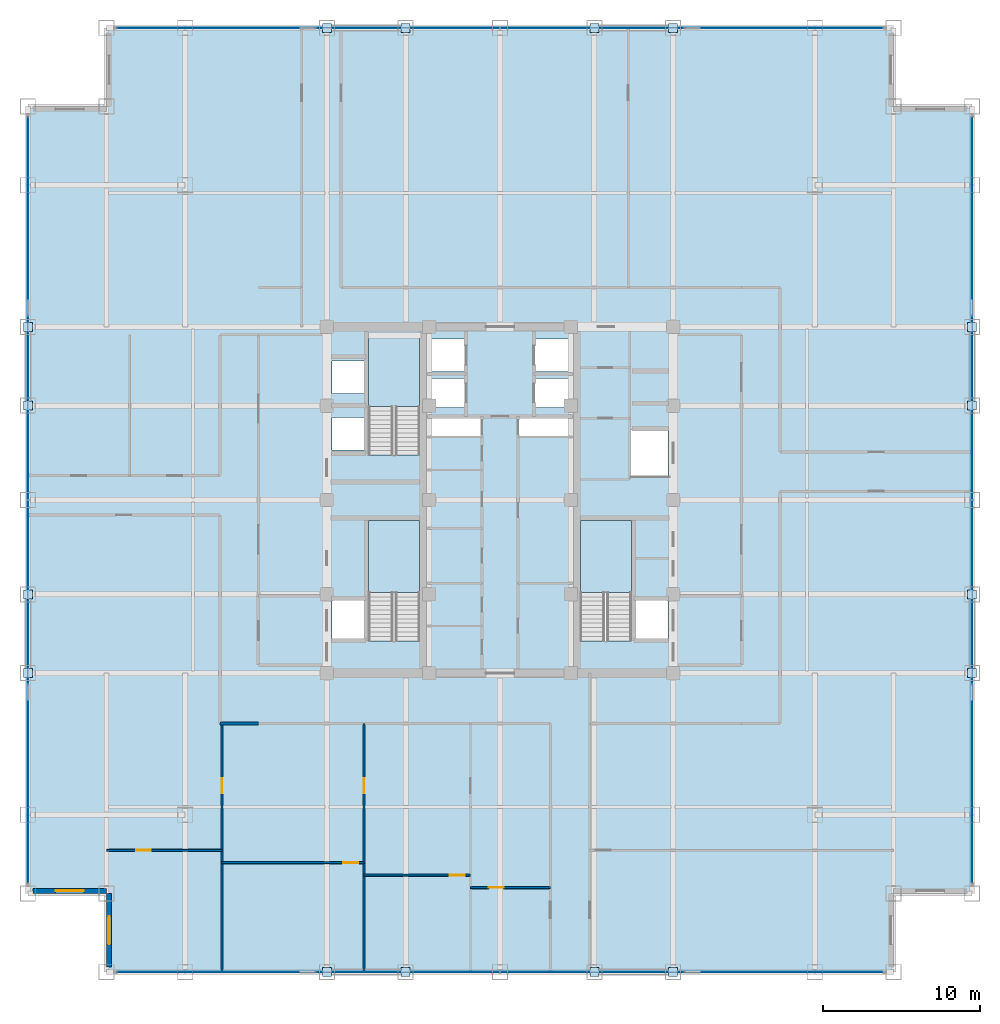
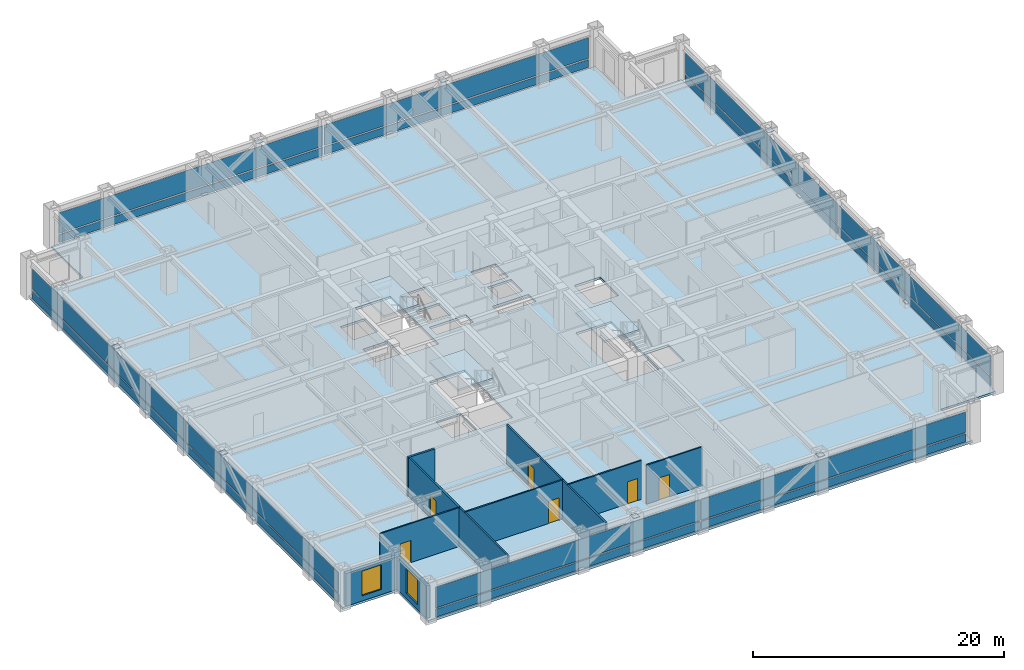
# One storey, part 19 of 24: 32 plates, 9 walls, 6 doors, 4 slabs, 2 windows, 8 openings, 7 elements without a shape of their own.
"""IFC4 building model written with IfcOpenShell, lengths in metres."""

from ifc_helpers import new_model, si_unit, direction, frame, frame_2d, origin, origin_2d, place, context, subcontext, project, spatial, polyline, rectangle, outline, extrude, source, transform, mapped, material, layer, layer_set, type_object, element, fill, aggregate, save


model = new_model("IFC4")

# Units and contexts
model_context = context("Model", 3, precision=1e-05, world=origin(), true_north=direction((0.0, 1.0)))
body_context = subcontext(model_context, "Body", "Model", "MODEL_VIEW")
ifc_project = project(units=[si_unit("LENGTHUNIT", "METRE"), si_unit("AREAUNIT", "SQUARE_METRE"), si_unit("VOLUMEUNIT", "CUBIC_METRE"), si_unit("PLANEANGLEUNIT", "RADIAN"), si_unit("MASSUNIT", "GRAM", prefix="KILO")], contexts=[model_context])

# Site, building, storey
site_placement = place(None, origin())
site = spatial("IfcSite", under=ifc_project, at=site_placement, CompositionType="ELEMENT")
building_placement = place(site_placement, origin())
building = spatial("IfcBuilding", under=site, at=building_placement, Name="Khorayat Bourse Tower", CompositionType="ELEMENT")
storey_placement = place(building_placement, frame((0.0, 0.0, 211.10009765625)))
storey = spatial("IfcBuildingStorey", under=building, at=storey_placement, Name="L49", CompositionType="ELEMENT", Elevation=211.10009765625)

# Stair, slab
ifc_material_1 = material(Name="Concrete C40/50", Category="concrete")
stair_type = type_object("IfcStairType", Name="STR-CORE-1550", PredefinedType="HALF_TURN_STAIR", material=ifc_material_1)
stair_1_placement = place(storey_placement, origin())
stair_1 = element("IfcStair", 1, at=stair_1_placement, inside=storey, type_object=stair_type, Name="L49 Exit Stair ST-1", PredefinedType="HALF_TURN_STAIR")
ifc_layer_1 = layer(ifc_material_1, 0.199951171875)
ifc_layer_set_1 = layer_set([ifc_layer_1], Name="Concrete C40/50")
slab_type_1 = type_object("IfcSlabType", Name="SLB-LANDING-200", PredefinedType="LANDING", material=ifc_layer_set_1)
slab_1_placement = place(storey_placement, frame((0.0, 0.0, 1.7998046875)))
slab_1 = element("IfcSlab", 2, at=slab_1_placement, type_object=slab_type_1, Name="ST-1 landing 1", PredefinedType="LANDING", context=body_context, shape_type="SweptSolid", body=[
    extrude(outline(polyline([(-5.10009765625, -5.8701171875), (-5.10009765625, -1.300048828125), (-8.35009765625, -1.300048828125), (-8.35009765625, -5.8701171875), (-5.10009765625, -5.8701171875)])), origin(), (0.0, 0.0, 1.0), 0.2001953125),
])
aggregate(stair_1, [slab_1])

stair_2_placement = place(storey_placement, origin())
stair_2 = element("IfcStair", 3, at=stair_2_placement, inside=storey, type_object=stair_type, Name="L49 Exit Stair ST-2", PredefinedType="HALF_TURN_STAIR")
slab_2_placement = place(storey_placement, frame((0.0, 0.0, 1.7998046875)))
slab_2 = element("IfcSlab", 4, at=slab_2_placement, type_object=slab_type_1, Name="ST-2 landing 1", PredefinedType="LANDING", context=body_context, shape_type="SweptSolid", body=[
    extrude(outline(polyline([(-5.10009765625, 5.929931640625), (-5.10009765625, 10.5), (-8.35009765625, 10.5), (-8.35009765625, 5.929931640625), (-5.10009765625, 5.929931640625)])), origin(), (0.0, 0.0, 1.0), 0.2001953125),
])
aggregate(stair_2, [slab_2])

stair_3_placement = place(storey_placement, origin())
stair_3 = element("IfcStair", 5, at=stair_3_placement, inside=storey, type_object=stair_type, Name="L49 Exit Stair ST-3", PredefinedType="HALF_TURN_STAIR")
slab_3_placement = place(storey_placement, frame((0.0, 0.0, 1.7998046875)))
slab_3 = element("IfcSlab", 6, at=slab_3_placement, type_object=slab_type_1, Name="ST-3 landing 1", PredefinedType="LANDING", context=body_context, shape_type="SweptSolid", body=[
    extrude(outline(polyline([(8.35009765625, -5.8701171875), (8.35009765625, -1.300048828125), (5.10009765625, -1.300048828125), (5.10009765625, -5.8701171875), (8.35009765625, -5.8701171875)])), origin(), (0.0, 0.0, 1.0), 0.2001953125),
])
aggregate(stair_3, [slab_3])

# Slab
ifc_layer_2 = layer(ifc_material_1, 0.219970703125)
ifc_layer_set_2 = layer_set([ifc_layer_2], Name="Concrete C40/50")
slab_type_2 = type_object("IfcSlabType", Name="SLB-OFFICE-220", PredefinedType="FLOOR", material=ifc_layer_set_2)
slab_4_placement = place(storey_placement, frame((0.0, 0.0, -0.22021484375)))
element("IfcSlab", 7, at=slab_4_placement, inside=storey, type_object=slab_type_2, Name="L49 Main Floor Slab", PredefinedType="FLOOR", context=body_context, shape_type="SweptSolid", body=[
    extrude(outline(polyline([(-25.0, -30.0), (25.0, -30.0), (25.0, -25.0), (30.0, -25.0), (30.0, 25.0), (25.0, 25.0), (25.0, 30.0), (-25.0, 30.0), (-25.0, 25.0), (-30.0, 25.0), (-30.0, -25.0), (-25.0, -25.0), (-25.0, -30.0)]), holes=[polyline([(-8.35009765625, -8.945068359375), (-5.10009765625, -8.945068359375), (-5.10009765625, -1.300048828125), (-8.35009765625, -1.300048828125), (-8.35009765625, -8.945068359375)]), polyline([(-8.35009765625, 2.85498046875), (-5.10009765625, 2.85498046875), (-5.10009765625, 10.5), (-8.35009765625, 10.5), (-8.35009765625, 2.85498046875)]), polyline([(5.10009765625, -8.945068359375), (8.35009765625, -8.945068359375), (8.35009765625, -1.300048828125), (5.10009765625, -1.300048828125), (5.10009765625, -8.945068359375)]), polyline([(-4.3798828125, 8.169921875), (-2.1201171875, 8.169921875), (-2.1201171875, 10.22998046875), (-4.3798828125, 10.22998046875), (-4.3798828125, 8.169921875)]), polyline([(2.1201171875, 8.169921875), (4.3798828125, 8.169921875), (4.3798828125, 10.22998046875), (2.1201171875, 10.22998046875), (2.1201171875, 8.169921875)]), polyline([(-4.3798828125, 5.8701171875), (-2.219970703125, 5.8701171875), (-2.219970703125, 7.72998046875), (-4.3798828125, 7.72998046875), (-4.3798828125, 5.8701171875)]), polyline([(2.219970703125, 5.8701171875), (4.3798828125, 5.8701171875), (4.3798828125, 7.72998046875), (2.219970703125, 7.72998046875), (2.219970703125, 5.8701171875)]), polyline([(-10.679931640625, 3.169921875), (-8.419921875, 3.169921875), (-8.419921875, 5.22998046875), (-10.679931640625, 5.22998046875), (-10.679931640625, 3.169921875)]), polyline([(-10.679931640625, 6.77001953125), (-8.419921875, 6.77001953125), (-8.419921875, 8.830078125), (-10.679931640625, 8.830078125), (-10.679931640625, 6.77001953125)]), polyline([(-10.679931640625, -8.929931640625), (-8.419921875, -8.929931640625), (-8.419921875, -6.3701171875), (-10.679931640625, -6.3701171875), (-10.679931640625, -8.929931640625)]), polyline([(8.419921875, -8.929931640625), (10.679931640625, -8.929931640625), (10.679931640625, -6.3701171875), (8.419921875, -6.3701171875), (8.419921875, -8.929931640625)]), polyline([(8.320068359375, 1.52001953125), (10.679931640625, 1.52001953125), (10.679931640625, 4.47998046875), (8.320068359375, 4.47998046875), (8.320068359375, 1.52001953125)]), polyline([(-4.56005859375, 4.080078125), (-1.18994140625, 4.080078125), (-1.18994140625, 5.219970703125), (-4.56005859375, 5.219970703125), (-4.56005859375, 4.080078125)]), polyline([(1.18994140625, 4.080078125), (4.56005859375, 4.080078125), (4.56005859375, 5.219970703125), (1.18994140625, 5.219970703125), (1.18994140625, 4.080078125)])]), origin(), (0.0, 0.0, 1.0), 0.22021484375),
])

# Plates
ifc_material_2 = material(Name="Steel EN 10025-2 S355J2", Category="steel")
ifc_layer_3 = layer(ifc_material_2, 0.02490234375)
ifc_layer_set_3 = layer_set([ifc_layer_3], Name="Steel EN 10025-2 S355J2")
plate_type_1 = type_object("IfcPlateType", Name="PLT-ENDCAP-25", PredefinedType="SHEET", material=ifc_layer_set_3)
shared_shape_1 = source(origin(), body_context, "Body", "SweptSolid", [
    extrude(rectangle(XDim=0.56005859375, YDim=0.56005859375, at=origin_2d()), origin(), (0.0, 0.0, 1.0), 0.02490234375),
])
for number, where, z_axis, x_axis, name in (
    (8, (-11.0, -30.0, 0.237548828125), (0.0, 0.0, 1.0), (1.0, 0.0, 0.0), "L49 Perimeter Brace End Plate 001"),
    (9, (-6.0, -30.0, 3.517333984375), (0.0, 0.0, 1.0), (1.0, 0.0, 0.0), "L49 Perimeter Brace End Plate 002"),
    (10, (6.0, -30.0, 0.237548828125), (0.0, 0.0, 1.0), (1.0, 0.0, 0.0), "L49 Perimeter Brace End Plate 003"),
    (11, (11.0, -30.0, 3.517333984375), (0.0, 0.0, 1.0), (1.0, 0.0, 0.0), "L49 Perimeter Brace End Plate 004"),
    (12, (-11.0, 30.0, 0.237548828125), (0.0, 0.0, 1.0), (1.0, 0.0, 0.0), "L49 Perimeter Brace End Plate 005"),
    (13, (-6.0, 30.0, 3.517333984375), (0.0, 0.0, 1.0), (1.0, 0.0, 0.0), "L49 Perimeter Brace End Plate 006"),
    (14, (6.0, 30.0, 0.237548828125), (0.0, 0.0, 1.0), (1.0, 0.0, 0.0), "L49 Perimeter Brace End Plate 007"),
    (15, (11.0, 30.0, 3.517333984375), (0.0, 0.0, 1.0), (1.0, 0.0, 0.0), "L49 Perimeter Brace End Plate 008"),
    (16, (-30.0, -11.0, 0.237548828125), (0.0, 0.0, 1.0), (1.0, 0.0, 0.0), "L49 Perimeter Brace End Plate 009"),
    (17, (-30.0, -6.0, 3.517333984375), (0.0, 0.0, 1.0), (1.0, 0.0, 0.0), "L49 Perimeter Brace End Plate 010"),
    (18, (-30.0, 6.0, 0.237548828125), (0.0, 0.0, 1.0), (1.0, 0.0, 0.0), "L49 Perimeter Brace End Plate 011"),
    (19, (-30.0, 11.0, 3.517333984375), (0.0, 0.0, 1.0), (1.0, 0.0, 0.0), "L49 Perimeter Brace End Plate 012"),
    (20, (30.0, -11.0, 0.237548828125), (0.0, 0.0, 1.0), (1.0, 0.0, 0.0), "L49 Perimeter Brace End Plate 013"),
    (21, (30.0, -6.0, 3.517333984375), (0.0, 0.0, 1.0), (1.0, 0.0, 0.0), "L49 Perimeter Brace End Plate 014"),
    (22, (30.0, 6.0, 0.237548828125), (0.0, 0.0, 1.0), (1.0, 0.0, 0.0), "L49 Perimeter Brace End Plate 015"),
    (23, (30.0, 11.0, 3.517333984375), (0.0, 0.0, 1.0), (1.0, 0.0, 0.0), "L49 Perimeter Brace End Plate 016"),
):
    element("IfcPlate", number, at=place(storey_placement, frame(where, z_axis=z_axis, x_axis=x_axis)), inside=storey, type_object=plate_type_1, Name=name, PredefinedType="SHEET", context=body_context, shape_type="MappedRepresentation", body=[
        mapped(shared_shape_1, transform((0.0, 0.0, 0.0), scale=1.0)),
    ])

# Curtain wall, plates
ifc_material_3 = material(Name="Aluminium EN AW-6063 T6", Category="aluminium")
curtain_wall_type = type_object("IfcCurtainWallType", Name="CW-SYS-03", PredefinedType="NOTDEFINED", material=ifc_material_3)
curtain_wall_1_placement = place(storey_placement, origin())
curtain_wall_1 = element("IfcCurtainWall", 24, at=curtain_wall_1_placement, inside=storey, type_object=curtain_wall_type, Name="L49 Curtain Wall CW-L49-S1", PredefinedType="NOTDEFINED")
ifc_material_4 = material(Name="Honed desert limestone insulated spandrel", Category="masonry")
ifc_layer_4 = layer(ifc_material_4, 0.06494140625)
ifc_layer_set_4 = layer_set([ifc_layer_4], Name="Honed desert limestone insulated spandrel")
plate_type_2 = type_object("IfcPlateType", Name="CWP-SPAND-03", PredefinedType="CURTAIN_PANEL", material=ifc_layer_set_4)
shared_shape_2 = source(origin(), body_context, "Body", "SweptSolid", [
    extrude(rectangle(XDim=24.27001953125, YDim=0.06494140625, at=origin_2d()), origin(), (0.0, 0.0, 1.0), 0.77001953125),
])
plate_1_placement = place(storey_placement, frame((-12.195068359375, -30.0, 0.119873046875), z_axis=(0.0, 0.0, 1.0), x_axis=(1.0, 0.0, 0.0)))
plate_1 = element("IfcPlate", 25, at=plate_1_placement, type_object=plate_type_2, Name="CW-L49-S1 Spandrel Panel 1-1", PredefinedType="CURTAIN_PANEL", context=body_context, shape_type="MappedRepresentation", body=[
    mapped(shared_shape_2, transform((0.0, 0.0, 0.0), scale=1.0)),
])
plate_2_placement = place(storey_placement, frame((12.195068359375, -30.0, 0.119873046875), z_axis=(0.0, 0.0, 1.0), x_axis=(1.0, 0.0, 0.0)))
plate_2 = element("IfcPlate", 26, at=plate_2_placement, type_object=plate_type_2, Name="CW-L49-S1 Spandrel Panel 2-1", PredefinedType="CURTAIN_PANEL", context=body_context, shape_type="MappedRepresentation", body=[
    mapped(shared_shape_2, transform((0.0, 0.0, 0.0), scale=1.0)),
])

curtain_wall_2_placement = place(storey_placement, origin())
curtain_wall_2 = element("IfcCurtainWall", 27, at=curtain_wall_2_placement, inside=storey, type_object=curtain_wall_type, Name="L49 Curtain Wall CW-L49-N1", PredefinedType="NOTDEFINED")
plate_3_placement = place(storey_placement, frame((-12.195068359375, 30.0, 0.119873046875), z_axis=(0.0, 0.0, 1.0), x_axis=(1.0, 0.0, 0.0)))
plate_3 = element("IfcPlate", 28, at=plate_3_placement, type_object=plate_type_2, Name="CW-L49-N1 Spandrel Panel 1-1", PredefinedType="CURTAIN_PANEL", context=body_context, shape_type="MappedRepresentation", body=[
    mapped(shared_shape_2, transform((0.0, 0.0, 0.0), scale=1.0)),
])
plate_4_placement = place(storey_placement, frame((12.195068359375, 30.0, 0.119873046875), z_axis=(0.0, 0.0, 1.0), x_axis=(1.0, 0.0, 0.0)))
plate_4 = element("IfcPlate", 29, at=plate_4_placement, type_object=plate_type_2, Name="CW-L49-N1 Spandrel Panel 2-1", PredefinedType="CURTAIN_PANEL", context=body_context, shape_type="MappedRepresentation", body=[
    mapped(shared_shape_2, transform((0.0, 0.0, 0.0), scale=1.0)),
])

curtain_wall_3_placement = place(storey_placement, origin())
curtain_wall_3 = element("IfcCurtainWall", 30, at=curtain_wall_3_placement, inside=storey, type_object=curtain_wall_type, Name="L49 Curtain Wall CW-L49-W1", PredefinedType="NOTDEFINED")
plate_5_placement = place(storey_placement, frame((-30.0, -12.195068359375, 0.119873046875), z_axis=(0.0, 0.0, 1.0), x_axis=(0.0, 1.0, 0.0)))
plate_5 = element("IfcPlate", 31, at=plate_5_placement, type_object=plate_type_2, Name="CW-L49-W1 Spandrel Panel 1-1", PredefinedType="CURTAIN_PANEL", context=body_context, shape_type="MappedRepresentation", body=[
    mapped(shared_shape_2, transform((0.0, 0.0, 0.0), scale=1.0)),
])
plate_6_placement = place(storey_placement, frame((-30.0, 12.195068359375, 0.119873046875), z_axis=(0.0, 0.0, 1.0), x_axis=(0.0, 1.0, 0.0)))
plate_6 = element("IfcPlate", 32, at=plate_6_placement, type_object=plate_type_2, Name="CW-L49-W1 Spandrel Panel 2-1", PredefinedType="CURTAIN_PANEL", context=body_context, shape_type="MappedRepresentation", body=[
    mapped(shared_shape_2, transform((0.0, 0.0, 0.0), scale=1.0)),
])

curtain_wall_4_placement = place(storey_placement, origin())
curtain_wall_4 = element("IfcCurtainWall", 33, at=curtain_wall_4_placement, inside=storey, type_object=curtain_wall_type, Name="L49 Curtain Wall CW-L49-E1", PredefinedType="NOTDEFINED")
plate_7_placement = place(storey_placement, frame((30.0, -12.195068359375, 0.119873046875), z_axis=(0.0, 0.0, 1.0), x_axis=(0.0, 1.0, 0.0)))
plate_7 = element("IfcPlate", 34, at=plate_7_placement, type_object=plate_type_2, Name="CW-L49-E1 Spandrel Panel 1-1", PredefinedType="CURTAIN_PANEL", context=body_context, shape_type="MappedRepresentation", body=[
    mapped(shared_shape_2, transform((0.0, 0.0, 0.0), scale=1.0)),
])
plate_8_placement = place(storey_placement, frame((30.0, 12.195068359375, 0.119873046875), z_axis=(0.0, 0.0, 1.0), x_axis=(0.0, 1.0, 0.0)))
plate_8 = element("IfcPlate", 35, at=plate_8_placement, type_object=plate_type_2, Name="CW-L49-E1 Spandrel Panel 2-1", PredefinedType="CURTAIN_PANEL", context=body_context, shape_type="MappedRepresentation", body=[
    mapped(shared_shape_2, transform((0.0, 0.0, 0.0), scale=1.0)),
])

# Plate
ifc_material_5 = material(Name="Low-E solar-control laminated double glazing", Category="glass")
ifc_layer_5 = layer(ifc_material_5, 0.035888671875)
ifc_layer_set_5 = layer_set([ifc_layer_5], Name="Low-E solar-control laminated double glazing")
plate_type_3 = type_object("IfcPlateType", Name="CWP-VIS-01", PredefinedType="CURTAIN_PANEL", material=ifc_layer_set_5)
shared_shape_3 = source(origin(), body_context, "Body", "SweptSolid", [
    extrude(rectangle(XDim=24.27001953125, YDim=0.035888671875, at=origin_2d()), origin(), (0.0, 0.0, 1.0), 2.0),
])
plate_9_placement = place(storey_placement, frame((-12.195068359375, -30.0, 1.010009765625), z_axis=(0.0, 0.0, 1.0), x_axis=(1.0, 0.0, 0.0)))
plate_9 = element("IfcPlate", 36, at=plate_9_placement, type_object=plate_type_3, Name="CW-L49-S1 Vision Panel 1-2", PredefinedType="CURTAIN_PANEL", context=body_context, shape_type="MappedRepresentation", body=[
    mapped(shared_shape_3, transform((0.0, 0.0, 0.0), scale=1.0)),
])

plate_10_placement = place(storey_placement, frame((12.195068359375, -30.0, 1.010009765625), z_axis=(0.0, 0.0, 1.0), x_axis=(1.0, 0.0, 0.0)))
plate_10 = element("IfcPlate", 37, at=plate_10_placement, type_object=plate_type_3, Name="CW-L49-S1 Vision Panel 2-2", PredefinedType="CURTAIN_PANEL", context=body_context, shape_type="MappedRepresentation", body=[
    mapped(shared_shape_3, transform((0.0, 0.0, 0.0), scale=1.0)),
])

aggregate(curtain_wall_1, [plate_1, plate_9, plate_2, plate_10])

plate_11_placement = place(storey_placement, frame((-12.195068359375, 30.0, 1.010009765625), z_axis=(0.0, 0.0, 1.0), x_axis=(1.0, 0.0, 0.0)))
plate_11 = element("IfcPlate", 38, at=plate_11_placement, type_object=plate_type_3, Name="CW-L49-N1 Vision Panel 1-2", PredefinedType="CURTAIN_PANEL", context=body_context, shape_type="MappedRepresentation", body=[
    mapped(shared_shape_3, transform((0.0, 0.0, 0.0), scale=1.0)),
])

plate_12_placement = place(storey_placement, frame((12.195068359375, 30.0, 1.010009765625), z_axis=(0.0, 0.0, 1.0), x_axis=(1.0, 0.0, 0.0)))
plate_12 = element("IfcPlate", 39, at=plate_12_placement, type_object=plate_type_3, Name="CW-L49-N1 Vision Panel 2-2", PredefinedType="CURTAIN_PANEL", context=body_context, shape_type="MappedRepresentation", body=[
    mapped(shared_shape_3, transform((0.0, 0.0, 0.0), scale=1.0)),
])

aggregate(curtain_wall_2, [plate_3, plate_11, plate_4, plate_12])

plate_13_placement = place(storey_placement, frame((-30.0, -12.195068359375, 1.010009765625), z_axis=(0.0, 0.0, 1.0), x_axis=(0.0, 1.0, 0.0)))
plate_13 = element("IfcPlate", 40, at=plate_13_placement, type_object=plate_type_3, Name="CW-L49-W1 Vision Panel 1-2", PredefinedType="CURTAIN_PANEL", context=body_context, shape_type="MappedRepresentation", body=[
    mapped(shared_shape_3, transform((0.0, 0.0, 0.0), scale=1.0)),
])

plate_14_placement = place(storey_placement, frame((-30.0, 12.195068359375, 1.010009765625), z_axis=(0.0, 0.0, 1.0), x_axis=(0.0, 1.0, 0.0)))
plate_14 = element("IfcPlate", 41, at=plate_14_placement, type_object=plate_type_3, Name="CW-L49-W1 Vision Panel 2-2", PredefinedType="CURTAIN_PANEL", context=body_context, shape_type="MappedRepresentation", body=[
    mapped(shared_shape_3, transform((0.0, 0.0, 0.0), scale=1.0)),
])

aggregate(curtain_wall_3, [plate_5, plate_13, plate_6, plate_14])

plate_15_placement = place(storey_placement, frame((30.0, -12.195068359375, 1.010009765625), z_axis=(0.0, 0.0, 1.0), x_axis=(0.0, 1.0, 0.0)))
plate_15 = element("IfcPlate", 42, at=plate_15_placement, type_object=plate_type_3, Name="CW-L49-E1 Vision Panel 1-2", PredefinedType="CURTAIN_PANEL", context=body_context, shape_type="MappedRepresentation", body=[
    mapped(shared_shape_3, transform((0.0, 0.0, 0.0), scale=1.0)),
])

plate_16_placement = place(storey_placement, frame((30.0, 12.195068359375, 1.010009765625), z_axis=(0.0, 0.0, 1.0), x_axis=(0.0, 1.0, 0.0)))
plate_16 = element("IfcPlate", 43, at=plate_16_placement, type_object=plate_type_3, Name="CW-L49-E1 Vision Panel 2-2", PredefinedType="CURTAIN_PANEL", context=body_context, shape_type="MappedRepresentation", body=[
    mapped(shared_shape_3, transform((0.0, 0.0, 0.0), scale=1.0)),
])

aggregate(curtain_wall_4, [plate_7, plate_15, plate_8, plate_16])

# Wall, opening, window
ifc_material_6 = material(Name="Precast concrete C45/55", Category="concrete")
ifc_layer_6 = layer(ifc_material_6, 0.320068359375)
ifc_layer_set_6 = layer_set([ifc_layer_6], Name="Precast concrete C45/55")
wall_type_1 = type_object("IfcWallType", Name="WAL-EXT-STONE-320", PredefinedType="STANDARD", material=ifc_layer_set_6)
shared_shape_4 = source(origin(), body_context, "Body", "SweptSolid", [
    extrude(rectangle(XDim=4.679931640625, YDim=0.320068359375, at=frame_2d((2.33984375, 0.0))), origin(), (0.0, 0.0, 1.0), 3.163818359375),
])
wall_1_placement = place(storey_placement, frame((-25.0, -24.840087890625, 0.0), z_axis=(0.0, 0.0, 1.0), x_axis=(-1.0, 0.0, 0.0)))
wall_1 = element("IfcWall", 44, at=wall_1_placement, inside=storey, type_object=wall_type_1, Name="L49 Re-Entrant Notch Limestone Wall SW-H", PredefinedType="STANDARD", context=body_context, shape_type="MappedRepresentation", body=[
    mapped(shared_shape_4, transform((0.0, 0.0, 0.0), scale=1.0)),
])
shared_shape_5 = source(origin(), body_context, "Body", "SweptSolid", [
    extrude(rectangle(XDim=1.800048828125, YDim=2.39990234375, at=frame_2d((0.89990234375, 1.199951171875))), frame((0.0, 0.169921875, 0.0), z_axis=(0.0, -1.0, 0.0), x_axis=(1.0, 0.0, 0.0)), (0.0, 0.0, 1.0), 0.340087890625),
])
opening_1_placement = place(wall_1_placement, frame((1.43994140625, 0.0, 0.5)))
opening_1 = element("IfcOpeningElement", 45, at=opening_1_placement, cuts=wall_1, Name="Opening WN-04", PredefinedType="OPENING", context=body_context, shape_type="MappedRepresentation", body=[
    mapped(shared_shape_5, transform((0.0, 0.0, 0.0), scale=1.0)),
])
ifc_material_7 = material(Name="Low-E acoustic laminated double glazing", Category="glass")
window_type = type_object("IfcWindowType", Name="WIN-NOTCH-1800x2400", PartitioningType="SINGLE_PANEL", PredefinedType="WINDOW", material=ifc_material_7)
shared_shape_6 = source(origin(), body_context, "Body", "SweptSolid", [
    extrude(rectangle(XDim=1.800048828125, YDim=2.39990234375, at=frame_2d((0.89990234375, 1.199951171875))), frame((0.0, 0.030029296875, 0.0), z_axis=(0.0, -1.0, 0.0), x_axis=(1.0, 0.0, 0.0)), (0.0, 0.0, 1.0), 0.06005859375),
])
window_1_placement = place(opening_1_placement, origin())
window_1 = element("IfcWindow", 46, at=window_1_placement, inside=storey, type_object=window_type, Name="L49 Facade Window 1", OverallHeight=2.39990234375, OverallWidth=1.800048828125, PartitioningType="SINGLE_PANEL", PredefinedType="WINDOW", context=body_context, shape_type="MappedRepresentation", body=[
    mapped(shared_shape_6, transform((0.0, 0.0, 0.0), scale=1.0)),
])
fill(opening_1, window_1)

wall_2_placement = place(storey_placement, frame((-24.840087890625, -29.679931640625, 0.0), z_axis=(0.0, 0.0, 1.0), x_axis=(0.0, 1.0, 0.0)))
wall_2 = element("IfcWall", 47, at=wall_2_placement, inside=storey, type_object=wall_type_1, Name="L49 Re-Entrant Notch Limestone Wall SW-V", PredefinedType="STANDARD", context=body_context, shape_type="MappedRepresentation", body=[
    mapped(shared_shape_4, transform((0.0, 0.0, 0.0), scale=1.0)),
])
opening_2_placement = place(wall_2_placement, frame((1.43994140625, 0.0, 0.5)))
opening_2 = element("IfcOpeningElement", 48, at=opening_2_placement, cuts=wall_2, Name="Opening WN-04", PredefinedType="OPENING", context=body_context, shape_type="MappedRepresentation", body=[
    mapped(shared_shape_5, transform((0.0, 0.0, 0.0), scale=1.0)),
])
window_2_placement = place(opening_2_placement, origin())
window_2 = element("IfcWindow", 49, at=window_2_placement, inside=storey, type_object=window_type, Name="L49 Facade Window 1", OverallHeight=2.39990234375, OverallWidth=1.800048828125, PartitioningType="SINGLE_PANEL", PredefinedType="WINDOW", context=body_context, shape_type="MappedRepresentation", body=[
    mapped(shared_shape_6, transform((0.0, 0.0, 0.0), scale=1.0)),
])
fill(opening_2, window_2)

# Wall
ifc_material_8 = material(Name="Gypsum plasterboard acoustic stud wall")
ifc_layer_7 = layer(ifc_material_8, 0.179931640625)
ifc_layer_set_7 = layer_set([ifc_layer_7], Name="Gypsum plasterboard acoustic stud wall")
wall_type_2 = type_object("IfcWallType", Name="WAL-PART-CORR-180", PredefinedType="PARTITIONING", material=ifc_layer_set_7)
shared_shape_7 = source(origin(), body_context, "Body", "SweptSolid", [
    extrude(rectangle(XDim=2.449951171875, YDim=0.179931640625, at=frame_2d((1.22509765625, 0.0))), origin(), (0.0, 0.0, 1.0), 3.77978515625),
])
wall_3_placement = place(storey_placement, frame((-17.800048828125, -14.199951171875, 0.0), z_axis=(0.0, 0.0, 1.0), x_axis=(1.0, 0.0, 0.0)))
element("IfcWall", 50, at=wall_3_placement, inside=storey, type_object=wall_type_2, Name="L49 Partition WAL-L49-C2-WS", PredefinedType="PARTITIONING", context=body_context, shape_type="MappedRepresentation", body=[
    mapped(shared_shape_7, transform((0.0, 0.0, 0.0), scale=1.0)),
])

# Wall, opening, door
ifc_material_9 = material(Name="Gypsum plasterboard twin-frame partition")
ifc_layer_8 = layer(ifc_material_9, 0.14990234375)
ifc_layer_set_8 = layer_set([ifc_layer_8], Name="Gypsum plasterboard twin-frame partition")
wall_type_3 = type_object("IfcWallType", Name="WAL-PART-SUITE-150", PredefinedType="PARTITIONING", material=ifc_layer_set_8)
shared_shape_8 = source(origin(), body_context, "Body", "SweptSolid", [
    extrude(rectangle(XDim=15.800048828125, YDim=0.14990234375, at=frame_2d((7.89990234375, 0.0))), origin(), (0.0, 0.0, 1.0), 3.77978515625),
])
wall_4_placement = place(storey_placement, frame((-17.66796875, -30.0, 0.0), z_axis=(0.0, 0.0, 1.0), x_axis=(0.0, 1.0, 0.0)))
wall_4 = element("IfcWall", 51, at=wall_4_placement, inside=storey, type_object=wall_type_3, Name="L49 Partition WAL-L49-QSWDV-1", PredefinedType="PARTITIONING", context=body_context, shape_type="MappedRepresentation", body=[
    mapped(shared_shape_8, transform((0.0, 0.0, 0.0), scale=1.0)),
])
shared_shape_9 = source(origin(), body_context, "Body", "SweptSolid", [
    extrude(rectangle(XDim=0.949951171875, YDim=2.14990234375, at=frame_2d((0.47509765625, 1.074951171875))), frame((0.0, 0.0849609375, 0.0), z_axis=(0.0, -1.0, 0.0), x_axis=(1.0, 0.0, 0.0)), (0.0, 0.0, 1.0), 0.169921875),
])
opening_3_placement = place(wall_4_placement, frame((11.375, 0.0, 0.0)))
opening_3 = element("IfcOpeningElement", 52, at=opening_3_placement, cuts=wall_4, Name="Opening DI-05", PredefinedType="OPENING", context=body_context, shape_type="MappedRepresentation", body=[
    mapped(shared_shape_9, transform((0.0, 0.0, 0.0), scale=1.0)),
])
ifc_material_10 = material(Name="Acoustic oak veneer office door")
door_type = type_object("IfcDoorType", Name="DR-INT-OFFICE-950", OperationType="NOTDEFINED", PredefinedType="DOOR", material=ifc_material_10)
shared_shape_10 = source(origin(), body_context, "Body", "SweptSolid", [
    extrude(rectangle(XDim=0.949951171875, YDim=2.14990234375, at=frame_2d((0.47509765625, 1.074951171875))), frame((0.0, 0.02490234375, 0.0), z_axis=(0.0, -1.0, 0.0), x_axis=(1.0, 0.0, 0.0)), (0.0, 0.0, 1.0), 0.050048828125),
])
door_1_placement = place(opening_3_placement, origin())
door_1 = element("IfcDoor", 53, at=door_1_placement, inside=storey, type_object=door_type, Name="L49 South-West Suite Link 1", OperationType="SINGLE_SWING_RIGHT", OverallHeight=2.14990234375, OverallWidth=0.949951171875, PredefinedType="DOOR", context=body_context, shape_type="MappedRepresentation", body=[
    mapped(shared_shape_10, transform((0.0, 0.0, 0.0), scale=1.0)),
])
fill(opening_3, door_1)

wall_5_placement = place(storey_placement, frame((-8.64404296875, -30.0, 0.0), z_axis=(0.0, 0.0, 1.0), x_axis=(0.0, 1.0, 0.0)))
wall_5 = element("IfcWall", 54, at=wall_5_placement, inside=storey, type_object=wall_type_3, Name="L49 Partition WAL-L49-QSWDV-2", PredefinedType="PARTITIONING", context=body_context, shape_type="MappedRepresentation", body=[
    mapped(shared_shape_8, transform((0.0, 0.0, 0.0), scale=1.0)),
])
opening_4_placement = place(wall_5_placement, frame((11.375, 0.0, 0.0)))
opening_4 = element("IfcOpeningElement", 55, at=opening_4_placement, cuts=wall_5, Name="Opening DI-05", PredefinedType="OPENING", context=body_context, shape_type="MappedRepresentation", body=[
    mapped(shared_shape_9, transform((0.0, 0.0, 0.0), scale=1.0)),
])
door_2_placement = place(opening_4_placement, origin())
door_2 = element("IfcDoor", 56, at=door_2_placement, inside=storey, type_object=door_type, Name="L49 South-West Suite Link 2", OperationType="SINGLE_SWING_LEFT", OverallHeight=2.14990234375, OverallWidth=0.949951171875, PredefinedType="DOOR", context=body_context, shape_type="MappedRepresentation", body=[
    mapped(shared_shape_10, transform((0.0, 0.0, 0.0), scale=1.0)),
])
fill(opening_4, door_2)

ifc_material_11 = material(Name="Gypsum plasterboard partition")
ifc_layer_9 = layer(ifc_material_11, 0.125)
ifc_layer_set_9 = layer_set([ifc_layer_9], Name="Gypsum plasterboard partition")
wall_type_4 = type_object("IfcWallType", Name="WAL-PART-ROOM-125", PredefinedType="PARTITIONING", material=ifc_layer_set_9)
shared_shape_11 = source(origin(), body_context, "Body", "SweptSolid", [
    extrude(rectangle(XDim=7.33203125, YDim=0.125, at=frame_2d((3.666015625, 0.0))), origin(), (0.0, 0.0, 1.0), 3.77978515625),
])
wall_6_placement = place(storey_placement, frame((-25.0, -22.258056640625, 0.0), z_axis=(0.0, 0.0, 1.0), x_axis=(1.0, 0.0, 0.0)))
wall_6 = element("IfcWall", 57, at=wall_6_placement, inside=storey, type_object=wall_type_4, Name="L49 Partition WAL-L49-QSWDP-1", PredefinedType="PARTITIONING", context=body_context, shape_type="MappedRepresentation", body=[
    mapped(shared_shape_11, transform((0.0, 0.0, 0.0), scale=1.0)),
])
shared_shape_12 = source(origin(), body_context, "Body", "SweptSolid", [
    extrude(rectangle(XDim=0.949951171875, YDim=2.14990234375, at=frame_2d((0.47509765625, 1.074951171875))), frame((0.0, 0.072509765625, 0.0), z_axis=(0.0, -1.0, 0.0), x_axis=(1.0, 0.0, 0.0)), (0.0, 0.0, 1.0), 0.14501953125),
])
opening_5_placement = place(wall_6_placement, frame((1.87109375, 0.0, 0.0)))
opening_5 = element("IfcOpeningElement", 58, at=opening_5_placement, cuts=wall_6, Name="Opening DI-05", PredefinedType="OPENING", context=body_context, shape_type="MappedRepresentation", body=[
    mapped(shared_shape_12, transform((0.0, 0.0, 0.0), scale=1.0)),
])
door_3_placement = place(opening_5_placement, origin())
door_3 = element("IfcDoor", 59, at=door_3_placement, inside=storey, type_object=door_type, Name="L49 South-West Clearing Operations Office 1B Door", OperationType="SINGLE_SWING_RIGHT", OverallHeight=2.14990234375, OverallWidth=0.949951171875, PredefinedType="DOOR", context=body_context, shape_type="MappedRepresentation", body=[
    mapped(shared_shape_10, transform((0.0, 0.0, 0.0), scale=1.0)),
])
fill(opening_5, door_3)

shared_shape_13 = source(origin(), body_context, "Body", "SweptSolid", [
    extrude(rectangle(XDim=9.02392578125, YDim=0.125, at=frame_2d((4.511962890625, 0.0))), origin(), (0.0, 0.0, 1.0), 3.77978515625),
])
wall_7_placement = place(storey_placement, frame((-17.66796875, -23.048095703125, 0.0), z_axis=(0.0, 0.0, 1.0), x_axis=(1.0, 0.0, 0.0)))
wall_7 = element("IfcWall", 60, at=wall_7_placement, inside=storey, type_object=wall_type_4, Name="L49 Partition WAL-L49-QSWDP-2", PredefinedType="PARTITIONING", context=body_context, shape_type="MappedRepresentation", body=[
    mapped(shared_shape_13, transform((0.0, 0.0, 0.0), scale=1.0)),
])
opening_6_placement = place(wall_7_placement, frame((7.698974609375, 0.0, 0.0)))
opening_6 = element("IfcOpeningElement", 61, at=opening_6_placement, cuts=wall_7, Name="Opening DI-05", PredefinedType="OPENING", context=body_context, shape_type="MappedRepresentation", body=[
    mapped(shared_shape_12, transform((0.0, 0.0, 0.0), scale=1.0)),
])
door_4_placement = place(opening_6_placement, origin())
door_4 = element("IfcDoor", 62, at=door_4_placement, inside=storey, type_object=door_type, Name="L49 South-West Equities Trading Desk 2B Door", OperationType="SINGLE_SWING_LEFT", OverallHeight=2.14990234375, OverallWidth=0.949951171875, PredefinedType="DOOR", context=body_context, shape_type="MappedRepresentation", body=[
    mapped(shared_shape_10, transform((0.0, 0.0, 0.0), scale=1.0)),
])
fill(opening_6, door_4)

shared_shape_14 = source(origin(), body_context, "Body", "SweptSolid", [
    extrude(rectangle(XDim=6.76806640625, YDim=0.125, at=frame_2d((3.384033203125, 0.0))), origin(), (0.0, 0.0, 1.0), 3.77978515625),
])
wall_8_placement = place(storey_placement, frame((-8.64404296875, -23.837890625, 0.0), z_axis=(0.0, 0.0, 1.0), x_axis=(1.0, 0.0, 0.0)))
wall_8 = element("IfcWall", 63, at=wall_8_placement, inside=storey, type_object=wall_type_4, Name="L49 Partition WAL-L49-QSWDP-3", PredefinedType="PARTITIONING", context=body_context, shape_type="MappedRepresentation", body=[
    mapped(shared_shape_14, transform((0.0, 0.0, 0.0), scale=1.0)),
])
opening_7_placement = place(wall_8_placement, frame((5.443115234375, 0.0, 0.0)))
opening_7 = element("IfcOpeningElement", 64, at=opening_7_placement, cuts=wall_8, Name="Opening DI-05", PredefinedType="OPENING", context=body_context, shape_type="MappedRepresentation", body=[
    mapped(shared_shape_12, transform((0.0, 0.0, 0.0), scale=1.0)),
])
door_5_placement = place(opening_7_placement, origin())
door_5 = element("IfcDoor", 65, at=door_5_placement, inside=storey, type_object=door_type, Name="L49 South-West Executive Boardroom 3B Door", OperationType="SINGLE_SWING_RIGHT", OverallHeight=2.14990234375, OverallWidth=0.949951171875, PredefinedType="DOOR", context=body_context, shape_type="MappedRepresentation", body=[
    mapped(shared_shape_10, transform((0.0, 0.0, 0.0), scale=1.0)),
])
fill(opening_7, door_5)

shared_shape_15 = source(origin(), body_context, "Body", "SweptSolid", [
    extrude(rectangle(XDim=5.075927734375, YDim=0.125, at=frame_2d((2.5380859375, 0.0))), origin(), (0.0, 0.0, 1.0), 3.77978515625),
])
wall_9_placement = place(storey_placement, frame((-1.8759765625, -24.6279296875, 0.0), z_axis=(0.0, 0.0, 1.0), x_axis=(1.0, 0.0, 0.0)))
wall_9 = element("IfcWall", 66, at=wall_9_placement, inside=storey, type_object=wall_type_4, Name="L49 Partition WAL-L49-QSWDP-4", PredefinedType="PARTITIONING", context=body_context, shape_type="MappedRepresentation", body=[
    mapped(shared_shape_15, transform((0.0, 0.0, 0.0), scale=1.0)),
])
opening_8_placement = place(wall_9_placement, frame((1.1494140625, 0.0, 0.0)))
opening_8 = element("IfcOpeningElement", 67, at=opening_8_placement, cuts=wall_9, Name="Opening DI-05", PredefinedType="OPENING", context=body_context, shape_type="MappedRepresentation", body=[
    mapped(shared_shape_12, transform((0.0, 0.0, 0.0), scale=1.0)),
])
door_6_placement = place(opening_8_placement, origin())
door_6 = element("IfcDoor", 68, at=door_6_placement, inside=storey, type_object=door_type, Name="L49 South-West Staff Tea Pantry 4B Door", OperationType="SINGLE_SWING_LEFT", OverallHeight=2.14990234375, OverallWidth=0.949951171875, PredefinedType="DOOR", context=body_context, shape_type="MappedRepresentation", body=[
    mapped(shared_shape_10, transform((0.0, 0.0, 0.0), scale=1.0)),
])
fill(opening_8, door_6)

save(model, "model.ifc")
